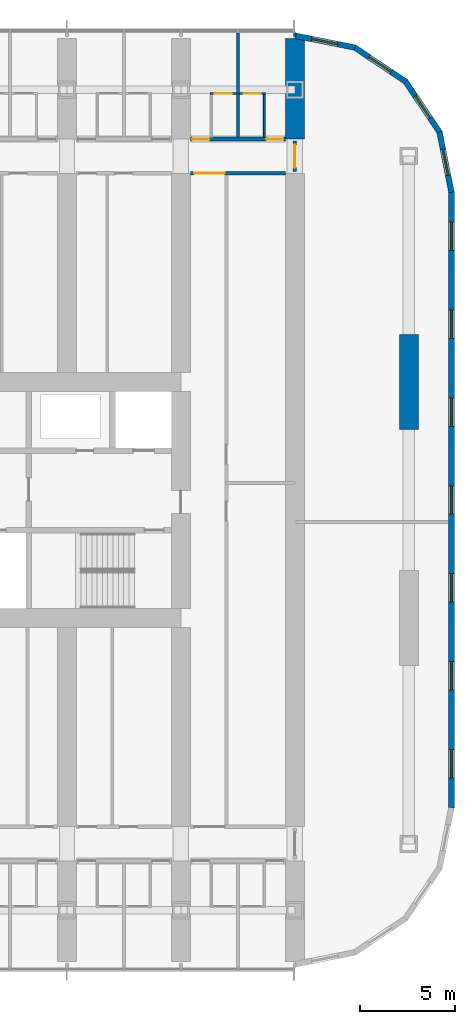
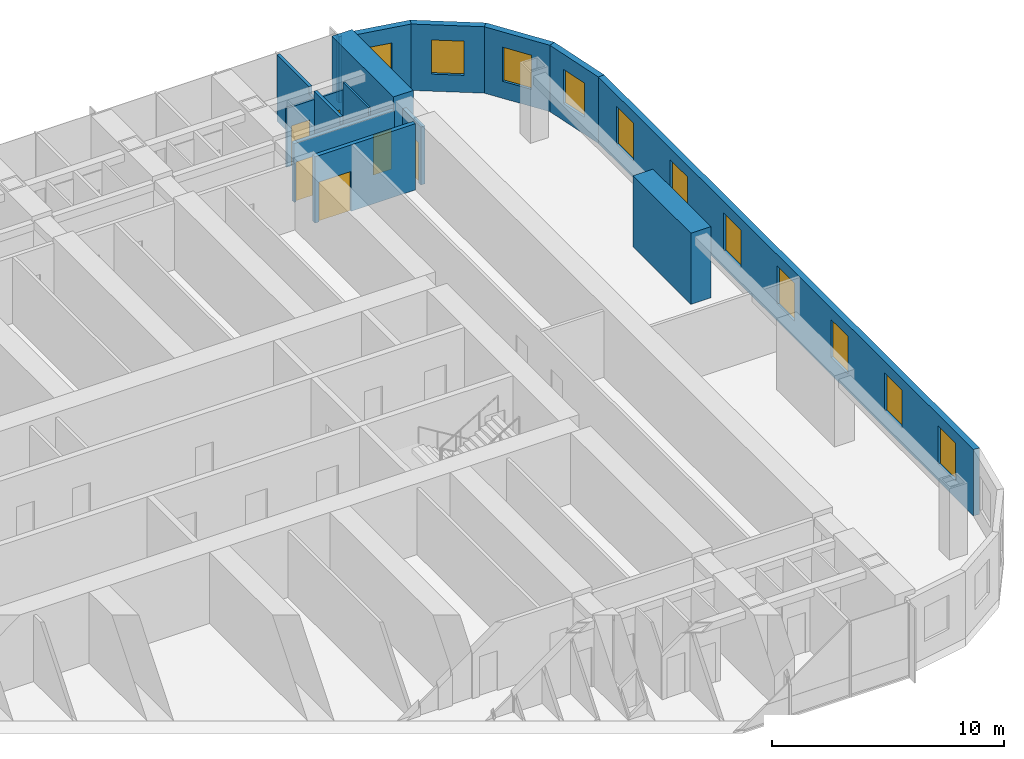
# One storey, part 21 of 28: 15 walls, 11 windows, 6 doors, 17 openings.
"""IFC4 building model written with IfcOpenShell, lengths in metres."""

from ifc_helpers import new_model, si_unit, direction, frame, frame_2d, origin, place, context, subcontext, project, spatial, polyline, rectangle, outline, extrude, material, layer, layer_set, type_object, element, fill, save


model = new_model("IFC4")

# Units and contexts
model_context = context("Model", 3, precision=1e-05, world=origin(), true_north=direction((0.0, 1.0)))
body_context = subcontext(model_context, "Body", "Model", "MODEL_VIEW")
ifc_project = project(units=[si_unit("LENGTHUNIT", "METRE"), si_unit("AREAUNIT", "SQUARE_METRE"), si_unit("VOLUMEUNIT", "CUBIC_METRE"), si_unit("PLANEANGLEUNIT", "RADIAN"), si_unit("MASSUNIT", "GRAM", prefix="KILO")], contexts=[model_context])

# Site, building, storey
site_placement = place(None, origin())
site = spatial("IfcSite", under=ifc_project, at=site_placement, CompositionType="ELEMENT")
building_placement = place(site_placement, origin())
building = spatial("IfcBuilding", under=site, at=building_placement, Name="Orbita Commons", CompositionType="ELEMENT")
storey_placement = place(building_placement, frame((0.0, 0.0, 38.949951171875)))
storey = spatial("IfcBuildingStorey", under=building, at=storey_placement, Name="L09", CompositionType="ELEMENT", Elevation=38.949951171875)

# Wall, openings, doors
ifc_material_1 = material(Name="Concrete blockwork", Category="masonry")
ifc_layer_1 = layer(ifc_material_1, 0.199951171875)
ifc_layer_set_1 = layer_set([ifc_layer_1], Name="Concrete blockwork")
wall_type_1 = type_object("IfcWallType", Name="Corridor wall 200 blockwork", PredefinedType="SOLIDWALL", material=ifc_layer_set_1)
wall_1_placement = place(storey_placement, frame((66.5, 51.0, 0.0), z_axis=(0.0, 0.0, 1.0), x_axis=(1.0, 0.0, 0.0)))
wall_1 = element("IfcWall", 1, at=wall_1_placement, inside=storey, type_object=wall_type_1, Name="Corridor wall 200 blockwork L09", PredefinedType="SOLIDWALL", context=body_context, shape_type="SweptSolid", body=[
    extrude(outline(polyline([(0.0, 0.0), (5.0, 0.0), (5.0, 3.10009765625), (0.0, 3.10009765625), (0.0, 0.0)])), frame((0.0, 0.10009765625, 0.0), z_axis=(0.0, -1.0, 0.0), x_axis=(1.0, 0.0, 0.0)), (0.0, 0.0, 1.0), 0.199951171875),
])
opening_1_placement = place(wall_1_placement, frame((0.10009765625, 0.0, 0.0)))
opening_1 = element("IfcOpeningElement", 2, at=opening_1_placement, cuts=wall_1, Name="Opening D11", PredefinedType="OPENING", context=body_context, shape_type="SweptSolid", body=[
    extrude(rectangle(XDim=0.89990234375, YDim=2.10009765625, at=frame_2d((0.449951171875, 1.050048828125))), frame((0.0, 0.10986328125, 0.0), z_axis=(0.0, -1.0, 0.0), x_axis=(1.0, 0.0, 0.0)), (0.0, 0.0, 1.0), 0.219970703125),
])
opening_2_placement = place(wall_1_placement, frame((4.0, 0.0, 0.0)))
opening_2 = element("IfcOpeningElement", 3, at=opening_2_placement, cuts=wall_1, Name="Opening D11", PredefinedType="OPENING", context=body_context, shape_type="SweptSolid", body=[
    extrude(rectangle(XDim=0.89990234375, YDim=2.10009765625, at=frame_2d((0.449951171875, 1.050048828125))), frame((0.0, 0.10986328125, 0.0), z_axis=(0.0, -1.0, 0.0), x_axis=(1.0, 0.0, 0.0)), (0.0, 0.0, 1.0), 0.219970703125),
])
ifc_material_2 = material(Name="Steel-faced fire door leaf", Category="steel")
door_type_1 = type_object("IfcDoorType", Name="Corridor door 20 min 900x2100", OperationType="SINGLE_SWING_LEFT", PredefinedType="DOOR", material=ifc_material_2)
door_1_placement = place(opening_1_placement, origin())
door_1 = element("IfcDoor", 4, at=door_1_placement, inside=storey, type_object=door_type_1, Name="House bedroom L09-N18 door", OperationType="SINGLE_SWING_LEFT", OverallHeight=2.10009765625, OverallWidth=0.89990234375, PredefinedType="DOOR", context=body_context, shape_type="SweptSolid", body=[
    extrude(rectangle(XDim=0.89990234375, YDim=2.10009765625, at=frame_2d((0.449951171875, 1.050048828125))), frame((0.0, 0.02490234375, 0.0), z_axis=(0.0, -1.0, 0.0), x_axis=(1.0, 0.0, 0.0)), (0.0, 0.0, 1.0), 0.050048828125),
])
fill(opening_1, door_1)
door_2_placement = place(opening_2_placement, origin())
door_2 = element("IfcDoor", 5, at=door_2_placement, inside=storey, type_object=door_type_1, Name="House bedroom L09-N19 door", OperationType="SINGLE_SWING_LEFT", OverallHeight=2.10009765625, OverallWidth=0.89990234375, PredefinedType="DOOR", context=body_context, shape_type="SweptSolid", body=[
    extrude(rectangle(XDim=0.89990234375, YDim=2.10009765625, at=frame_2d((0.449951171875, 1.050048828125))), frame((0.0, 0.02490234375, 0.0), z_axis=(0.0, -1.0, 0.0), x_axis=(1.0, 0.0, 0.0)), (0.0, 0.0, 1.0), 0.050048828125),
])
fill(opening_2, door_2)

# Wall, opening, door
wall_2_placement = place(storey_placement, frame((72.0, 49.300048828125, 0.0), z_axis=(0.0, 0.0, 1.0), x_axis=(0.0, 1.0, 0.0)))
wall_2 = element("IfcWall", 6, at=wall_2_placement, inside=storey, type_object=wall_type_1, Name="Corridor wall 200 blockwork L09", PredefinedType="SOLIDWALL", context=body_context, shape_type="SweptSolid", body=[
    extrude(outline(polyline([(0.0, 0.0), (1.599853515625, 0.0), (1.60009765625, 3.050048828125), (0.0, 3.050048828125), (0.0, 0.0)])), frame((0.0, 0.10009765625, 0.0), z_axis=(0.0, -1.0, 0.0), x_axis=(1.0, 0.0, 0.0)), (0.0, 0.0, 1.0), 0.199951171875),
])
opening_3_placement = place(wall_2_placement, frame((0.199951171875, 0.0, 0.0)))
opening_3 = element("IfcOpeningElement", 7, at=opening_3_placement, cuts=wall_2, Name="Opening D12", PredefinedType="OPENING", context=body_context, shape_type="SweptSolid", body=[
    extrude(rectangle(XDim=1.199951171875, YDim=2.10009765625, at=frame_2d((0.60009765625, 1.050048828125))), frame((0.0, 0.10986328125, 0.0), z_axis=(0.0, -1.0, 0.0), x_axis=(1.0, 0.0, 0.0)), (0.0, 0.0, 1.0), 0.219970703125),
])
ifc_material_3 = material(Name="Steel-faced fire door leaf", Category="steel")
door_type_2 = type_object("IfcDoorType", Name="Double corridor door 20 min 1200x2100", OperationType="DOUBLE_DOOR_SINGLE_SWING", PredefinedType="DOOR", material=ifc_material_3)
door_3_placement = place(opening_3_placement, origin())
door_3 = element("IfcDoor", 8, at=door_3_placement, inside=storey, type_object=door_type_2, Name="Lounge doors", OperationType="DOUBLE_DOOR_SINGLE_SWING", OverallHeight=2.10009765625, OverallWidth=1.199951171875, PredefinedType="DOOR", context=body_context, shape_type="SweptSolid", body=[
    extrude(rectangle(XDim=1.199951171875, YDim=2.10009765625, at=frame_2d((0.60009765625, 1.050048828125))), frame((0.0, 0.02490234375, 0.0), z_axis=(0.0, -1.0, 0.0), x_axis=(1.0, 0.0, 0.0)), (0.0, 0.0, 1.0), 0.050048828125),
])
fill(opening_3, door_3)

ifc_material_4 = material(Name="Hollow concrete block 200", Category="concrete")
ifc_layer_2 = layer(ifc_material_4, 0.199951171875)
ifc_layer_set_2 = layer_set([ifc_layer_2], Name="Hollow concrete block 200")
wall_type_2 = type_object("IfcWallType", Name="Corridor wall 200 hollow concrete block", PredefinedType="SOLIDWALL", material=ifc_layer_set_2)
wall_3_placement = place(storey_placement, frame((66.5, 49.199951171875, 0.0), z_axis=(0.0, 0.0, 1.0), x_axis=(1.0, 0.0, 0.0)))
wall_3 = element("IfcWall", 9, at=wall_3_placement, inside=storey, type_object=wall_type_2, Name="Corridor wall 200 hollow concrete block L09", PredefinedType="SOLIDWALL", context=body_context, shape_type="SweptSolid", body=[
    extrude(rectangle(XDim=5.0, YDim=0.199951171875, at=frame_2d((2.5, 0.0))), origin(), (0.0, 0.0, 1.0), 3.5),
])
opening_4_placement = place(wall_3_placement, frame((0.199951171875, 0.0, 0.0)))
opening_4 = element("IfcOpeningElement", 10, at=opening_4_placement, cuts=wall_3, Name="Opening D10", PredefinedType="OPENING", context=body_context, shape_type="SweptSolid", body=[
    extrude(rectangle(XDim=1.60009765625, YDim=2.10009765625, at=frame_2d((0.800048828125, 1.050048828125))), frame((0.0, 0.10986328125, 0.0), z_axis=(0.0, -1.0, 0.0), x_axis=(1.0, 0.0, 0.0)), (0.0, 0.0, 1.0), 0.219970703125),
])
ifc_material_5 = material(Name="Steel-faced fire door leaf", Category="steel")
door_type_3 = type_object("IfcDoorType", Name="Double corridor door 20 min 1600x2100", OperationType="DOUBLE_DOOR_SINGLE_SWING", PredefinedType="DOOR", material=ifc_material_5)
door_4_placement = place(opening_4_placement, origin())
door_4 = element("IfcDoor", 11, at=door_4_placement, inside=storey, type_object=door_type_3, Name="Cross corridor doors", OperationType="DOUBLE_DOOR_SINGLE_SWING", OverallHeight=2.10009765625, OverallWidth=1.60009765625, PredefinedType="DOOR", context=body_context, shape_type="SweptSolid", body=[
    extrude(rectangle(XDim=1.60009765625, YDim=2.10009765625, at=frame_2d((0.800048828125, 1.050048828125))), frame((0.0, 0.02490234375, 0.0), z_axis=(0.0, -1.0, 0.0), x_axis=(1.0, 0.0, 0.0)), (0.0, 0.0, 1.0), 0.050048828125),
])
fill(opening_4, door_4)

# Wall
ifc_material_6 = material(Name="Concrete C50/60", Category="concrete")
ifc_layer_3 = layer(ifc_material_6, 1.0)
ifc_layer_set_3 = layer_set([ifc_layer_3], Name="Concrete C50/60")
wall_type_3 = type_object("IfcWallType", Name="Cross wall 1000 C50/60", PredefinedType="SHEAR", material=ifc_layer_set_3)
wall_4_placement = place(storey_placement, frame((72.0, 51.0, 0.0), z_axis=(0.0, 0.0, 1.0), x_axis=(0.0, 1.0, 0.0)))
element("IfcWall", 12, at=wall_4_placement, inside=storey, type_object=wall_type_3, Name="Cross wall 13 north outer L09", PredefinedType="SHEAR", context=body_context, shape_type="SweptSolid", body=[
    extrude(rectangle(XDim=5.300048828125, YDim=1.0, at=frame_2d((2.64990234375, 0.0))), origin(), (0.0, 0.0, 1.0), 3.75),
])

# Wall, opening, door
ifc_material_7 = material(Name="Moisture-resistant plasterboard on steel studs", Category="steel")
ifc_layer_4 = layer(ifc_material_7, 0.10009765625)
ifc_layer_set_4 = layer_set([ifc_layer_4], Name="Moisture-resistant plasterboard on steel studs")
wall_type_4 = type_object("IfcWallType", Name="En-suite partition 100", PredefinedType="PARTITIONING", material=ifc_layer_set_4)
wall_5_placement = place(storey_placement, frame((67.550048828125, 53.40185546875, 0.0), z_axis=(0.0, 0.0, 1.0), x_axis=(1.0, 0.0, 0.0)))
wall_5 = element("IfcWall", 13, at=wall_5_placement, inside=storey, type_object=wall_type_4, Name="En-suite partition 100 L09", PredefinedType="PARTITIONING", context=body_context, shape_type="SweptSolid", body=[
    extrude(outline(polyline([(0.0, 0.0), (1.375, 0.0), (1.375, 3.10009765625), (0.0, 3.10009765625), (0.0, 0.0)])), frame((0.0, 0.050048828125, 0.0), z_axis=(0.0, -1.0, 0.0), x_axis=(1.0, 0.0, 0.0)), (0.0, 0.0, 1.0), 0.10009765625),
])
opening_5_placement = place(wall_5_placement, frame((0.237548828125, 0.0, 0.0)))
opening_5 = element("IfcOpeningElement", 14, at=opening_5_placement, cuts=wall_5, Name="Opening D09", PredefinedType="OPENING", context=body_context, shape_type="SweptSolid", body=[
    extrude(rectangle(XDim=0.89990234375, YDim=2.10009765625, at=frame_2d((0.449951171875, 1.050048828125))), frame((0.0, 0.06005859375, 0.0), z_axis=(0.0, -1.0, 0.0), x_axis=(1.0, 0.0, 0.0)), (0.0, 0.0, 1.0), 0.1201171875),
])
ifc_material_8 = material(Name="Laminated timber door leaf", Category="wood")
door_type_4 = type_object("IfcDoorType", Name="En-suite door 900x2100", OperationType="SINGLE_SWING_RIGHT", PredefinedType="DOOR", material=ifc_material_8)
door_5_placement = place(opening_5_placement, origin())
door_5 = element("IfcDoor", 15, at=door_5_placement, inside=storey, type_object=door_type_4, Name="En-suite L09-N18 door", OperationType="SINGLE_SWING_RIGHT", OverallHeight=2.10009765625, OverallWidth=0.89990234375, PredefinedType="DOOR", context=body_context, shape_type="SweptSolid", body=[
    extrude(rectangle(XDim=0.89990234375, YDim=2.10009765625, at=frame_2d((0.449951171875, 1.050048828125))), frame((0.0, 0.02490234375, 0.0), z_axis=(0.0, -1.0, 0.0), x_axis=(1.0, 0.0, 0.0)), (0.0, 0.0, 1.0), 0.050048828125),
])
fill(opening_5, door_5)

wall_6_placement = place(storey_placement, frame((69.074951171875, 53.40185546875, 0.0), z_axis=(0.0, 0.0, 1.0), x_axis=(1.0, 0.0, 0.0)))
wall_6 = element("IfcWall", 16, at=wall_6_placement, inside=storey, type_object=wall_type_4, Name="En-suite partition 100 L09", PredefinedType="PARTITIONING", context=body_context, shape_type="SweptSolid", body=[
    extrude(outline(polyline([(0.0, 0.0), (1.375, 0.0), (1.375, 3.10009765625), (0.0, 3.10009765625), (0.0, 0.0)])), frame((0.0, 0.050048828125, 0.0), z_axis=(0.0, -1.0, 0.0), x_axis=(1.0, 0.0, 0.0)), (0.0, 0.0, 1.0), 0.10009765625),
])
opening_6_placement = place(wall_6_placement, frame((0.237548828125, 0.0, 0.0)))
opening_6 = element("IfcOpeningElement", 17, at=opening_6_placement, cuts=wall_6, Name="Opening D09", PredefinedType="OPENING", context=body_context, shape_type="SweptSolid", body=[
    extrude(rectangle(XDim=0.89990234375, YDim=2.10009765625, at=frame_2d((0.449951171875, 1.050048828125))), frame((0.0, 0.06005859375, 0.0), z_axis=(0.0, -1.0, 0.0), x_axis=(1.0, 0.0, 0.0)), (0.0, 0.0, 1.0), 0.1201171875),
])
door_6_placement = place(opening_6_placement, origin())
door_6 = element("IfcDoor", 18, at=door_6_placement, inside=storey, type_object=door_type_4, Name="En-suite L09-N19 door", OperationType="SINGLE_SWING_RIGHT", OverallHeight=2.10009765625, OverallWidth=0.89990234375, PredefinedType="DOOR", context=body_context, shape_type="SweptSolid", body=[
    extrude(rectangle(XDim=0.89990234375, YDim=2.10009765625, at=frame_2d((0.449951171875, 1.050048828125))), frame((0.0, 0.02490234375, 0.0), z_axis=(0.0, -1.0, 0.0), x_axis=(1.0, 0.0, 0.0)), (0.0, 0.0, 1.0), 0.050048828125),
])
fill(opening_6, door_6)

# Walls
wall_7_placement = place(storey_placement, frame((70.39990234375, 53.351806640625, 0.0), z_axis=(0.0, 0.0, 1.0), x_axis=(0.0, -1.0, 0.0)))
element("IfcWall", 19, at=wall_7_placement, inside=storey, type_object=wall_type_4, Name="En-suite partition 100 L09", PredefinedType="PARTITIONING", context=body_context, shape_type="SweptSolid", body=[
    extrude(outline(polyline([(0.0, 0.0), (2.251708984375, 0.0), (2.251953125, 3.10009765625), (2.203857421875, 3.10009765625), (2.201904296875, 3.5), (0.0, 3.5), (0.0, 0.0)])), frame((0.0, 0.050048828125, 0.0), z_axis=(0.0, -1.0, 0.0), x_axis=(1.0, 0.0, 0.0)), (0.0, 0.0, 1.0), 0.10009765625),
])
ifc_material_9 = material(Name="Concrete C50/60", Category="concrete")
ifc_layer_5 = layer(ifc_material_9, 1.0)
ifc_layer_set_5 = layer_set([ifc_layer_5], Name="Concrete C50/60")
wall_type_5 = type_object("IfcWallType", Name="End pier 1000x5000 C50/60", PredefinedType="SHEAR", material=ifc_layer_set_5)
wall_8_placement = place(storey_placement, frame((78.0, 35.699951171875, 0.0), z_axis=(0.0, 0.0, 1.0), x_axis=(0.0, 1.0, 0.0)))
element("IfcWall", 20, at=wall_8_placement, inside=storey, type_object=wall_type_5, Name="End pier 14/D L09", PredefinedType="SHEAR", context=body_context, shape_type="SweptSolid", body=[
    extrude(rectangle(XDim=5.0, YDim=1.0, at=frame_2d((2.5, 0.0))), origin(), (0.0, 0.0, 1.0), 3.75),
])
ifc_material_10 = material(Name="Gypsum plasterboard on steel studs", Category="steel")
ifc_layer_6 = layer(ifc_material_10, 0.14990234375)
ifc_layer_set_6 = layer_set([ifc_layer_6], Name="Gypsum plasterboard on steel studs")
wall_type_6 = type_object("IfcWallType", Name="Partition 150 plasterboard", PredefinedType="PARTITIONING", material=ifc_layer_set_6)
wall_9_placement = place(storey_placement, frame((72.0, 56.39990234375, 0.0), z_axis=(0.0, 0.0, 1.0), x_axis=(0.0, 1.0, 0.0)))
element("IfcWall", 21, at=wall_9_placement, inside=storey, type_object=wall_type_6, Name="Partition 150 plasterboard L09", PredefinedType="PARTITIONING", context=body_context, shape_type="SweptSolid", body=[
    extrude(rectangle(XDim=0.22021484375, YDim=0.14990234375, at=frame_2d((0.110107421875, 0.0))), origin(), (0.0, 0.0, 1.0), 3.5),
])
ifc_material_11 = material(Name="Gypsum plasterboard on steel studs", Category="steel")
ifc_layer_7 = layer(ifc_material_11, 0.14990234375)
ifc_layer_set_7 = layer_set([ifc_layer_7], Name="Gypsum plasterboard on steel studs")
wall_type_7 = type_object("IfcWallType", Name="Party wall 150 plasterboard", PredefinedType="PARTITIONING", material=ifc_layer_set_7)
wall_10_placement = place(storey_placement, frame((69.0, 56.590087890625, 0.0), z_axis=(0.0, 0.0, 1.0), x_axis=(0.0, -1.0, 0.0)))
element("IfcWall", 22, at=wall_10_placement, inside=storey, type_object=wall_type_7, Name="Party wall 150 plasterboard L09", PredefinedType="PARTITIONING", context=body_context, shape_type="SweptSolid", body=[
    extrude(outline(polyline([(0.0, 0.0), (5.489990234375, 0.0), (5.489990234375, 3.10009765625), (5.44189453125, 3.10009765625), (5.43994140625, 3.5), (3.19189453125, 3.5), (3.18994140625, 3.10009765625), (2.7919921875, 3.10009765625), (2.7900390625, 3.5), (0.0, 3.5), (0.0, 0.0)])), frame((0.0, 0.074951171875, 0.0), z_axis=(0.0, -1.0, 0.0), x_axis=(1.0, 0.0, 0.0)), (0.0, 0.0, 1.0), 0.14990234375),
])

# Wall, openings, windows
ifc_material_12 = material(Name="Precast concrete C40/50, white board-marked finish", Category="concrete")
ifc_layer_8 = layer(ifc_material_12, 0.300048828125)
ifc_layer_set_8 = layer_set([ifc_layer_8], Name="Precast concrete C40/50, white board-marked finish")
wall_type_8 = type_object("IfcWallType", Name="Precast concrete end shield 300", PredefinedType="SOLIDWALL", material=ifc_layer_set_8)
wall_11_placement = place(storey_placement, frame((80.25, 15.800048828125, 0.0), z_axis=(0.0, 0.0, 1.0), x_axis=(0.0, 1.0, 0.0)))
wall_11 = element("IfcWall", 23, at=wall_11_placement, inside=storey, type_object=wall_type_8, Name="End shield E L09", PredefinedType="SOLIDWALL", context=body_context, shape_type="SweptSolid", body=[
    extrude(outline(polyline([(-0.014892578125, -0.14990234375), (32.414794921875, -0.14990234375), (32.385009765625, 0.14990234375), (0.014892578125, 0.14990234375), (-0.014892578125, -0.14990234375)])), origin(), (0.0, 0.0, 1.0), 3.5),
])
opening_7_placement = place(wall_11_placement, frame((1.564208984375, 0.0, 0.89990234375)))
opening_7 = element("IfcOpeningElement", 24, at=opening_7_placement, cuts=wall_11, Name="Opening W01", PredefinedType="OPENING", context=body_context, shape_type="SweptSolid", body=[
    extrude(rectangle(XDim=1.5, YDim=2.0, at=frame_2d((0.75, 1.0))), frame((0.0, 0.159912109375, 0.0), z_axis=(0.0, -1.0, 0.0), x_axis=(1.0, 0.0, 0.0)), (0.0, 0.0, 1.0), 0.320068359375),
])
opening_8_placement = place(wall_11_placement, frame((6.19287109375, 0.0, 0.89990234375)))
opening_8 = element("IfcOpeningElement", 25, at=opening_8_placement, cuts=wall_11, Name="Opening W01", PredefinedType="OPENING", context=body_context, shape_type="SweptSolid", body=[
    extrude(rectangle(XDim=1.5, YDim=2.0, at=frame_2d((0.75, 1.0))), frame((0.0, 0.159912109375, 0.0), z_axis=(0.0, -1.0, 0.0), x_axis=(1.0, 0.0, 0.0)), (0.0, 0.0, 1.0), 0.320068359375),
])
opening_9_placement = place(wall_11_placement, frame((10.821533203125, 0.0, 0.89990234375)))
opening_9 = element("IfcOpeningElement", 26, at=opening_9_placement, cuts=wall_11, Name="Opening W01", PredefinedType="OPENING", context=body_context, shape_type="SweptSolid", body=[
    extrude(rectangle(XDim=1.5, YDim=2.0, at=frame_2d((0.75, 1.0))), frame((0.0, 0.159912109375, 0.0), z_axis=(0.0, -1.0, 0.0), x_axis=(1.0, 0.0, 0.0)), (0.0, 0.0, 1.0), 0.320068359375),
])
opening_10_placement = place(wall_11_placement, frame((15.449951171875, 0.0, 0.89990234375)))
opening_10 = element("IfcOpeningElement", 27, at=opening_10_placement, cuts=wall_11, Name="Opening W01", PredefinedType="OPENING", context=body_context, shape_type="SweptSolid", body=[
    extrude(rectangle(XDim=1.5, YDim=2.0, at=frame_2d((0.75, 1.0))), frame((0.0, 0.159912109375, 0.0), z_axis=(0.0, -1.0, 0.0), x_axis=(1.0, 0.0, 0.0)), (0.0, 0.0, 1.0), 0.320068359375),
])
opening_11_placement = place(wall_11_placement, frame((20.07861328125, 0.0, 0.89990234375)))
opening_11 = element("IfcOpeningElement", 28, at=opening_11_placement, cuts=wall_11, Name="Opening W01", PredefinedType="OPENING", context=body_context, shape_type="SweptSolid", body=[
    extrude(rectangle(XDim=1.5, YDim=2.0, at=frame_2d((0.75, 1.0))), frame((0.0, 0.159912109375, 0.0), z_axis=(0.0, -1.0, 0.0), x_axis=(1.0, 0.0, 0.0)), (0.0, 0.0, 1.0), 0.320068359375),
])
opening_12_placement = place(wall_11_placement, frame((24.70703125, 0.0, 0.89990234375)))
opening_12 = element("IfcOpeningElement", 29, at=opening_12_placement, cuts=wall_11, Name="Opening W01", PredefinedType="OPENING", context=body_context, shape_type="SweptSolid", body=[
    extrude(rectangle(XDim=1.5, YDim=2.0, at=frame_2d((0.75, 1.0))), frame((0.0, 0.159912109375, 0.0), z_axis=(0.0, -1.0, 0.0), x_axis=(1.0, 0.0, 0.0)), (0.0, 0.0, 1.0), 0.320068359375),
])
opening_13_placement = place(wall_11_placement, frame((29.335693359375, 0.0, 0.89990234375)))
opening_13 = element("IfcOpeningElement", 30, at=opening_13_placement, cuts=wall_11, Name="Opening W01", PredefinedType="OPENING", context=body_context, shape_type="SweptSolid", body=[
    extrude(rectangle(XDim=1.5, YDim=2.0, at=frame_2d((0.75, 1.0))), frame((0.0, 0.159912109375, 0.0), z_axis=(0.0, -1.0, 0.0), x_axis=(1.0, 0.0, 0.0)), (0.0, 0.0, 1.0), 0.320068359375),
])
ifc_material_13 = material(Name="Aluminium frame, clear double glazing", Category="aluminium")
window_type_1 = type_object("IfcWindowType", Name="Deep-set window 1500x2000", PartitioningType="SINGLE_PANEL", PredefinedType="WINDOW", material=ifc_material_13)
window_1_placement = place(opening_7_placement, origin())
window_1 = element("IfcWindow", 31, at=window_1_placement, inside=storey, type_object=window_type_1, Name="Window L09-E 1", OverallHeight=2.0, OverallWidth=1.5, PartitioningType="SINGLE_PANEL", PredefinedType="WINDOW", context=body_context, shape_type="SweptSolid", body=[
    extrude(rectangle(XDim=1.5, YDim=2.0, at=frame_2d((0.75, 1.0))), frame((0.0, 0.030029296875, 0.0), z_axis=(0.0, -1.0, 0.0), x_axis=(1.0, 0.0, 0.0)), (0.0, 0.0, 1.0), 0.06005859375),
])
fill(opening_7, window_1)
window_2_placement = place(opening_8_placement, origin())
window_2 = element("IfcWindow", 32, at=window_2_placement, inside=storey, type_object=window_type_1, Name="Window L09-E 2", OverallHeight=2.0, OverallWidth=1.5, PartitioningType="SINGLE_PANEL", PredefinedType="WINDOW", context=body_context, shape_type="SweptSolid", body=[
    extrude(rectangle(XDim=1.5, YDim=2.0, at=frame_2d((0.75, 1.0))), frame((0.0, 0.030029296875, 0.0), z_axis=(0.0, -1.0, 0.0), x_axis=(1.0, 0.0, 0.0)), (0.0, 0.0, 1.0), 0.06005859375),
])
fill(opening_8, window_2)
window_3_placement = place(opening_9_placement, origin())
window_3 = element("IfcWindow", 33, at=window_3_placement, inside=storey, type_object=window_type_1, Name="Window L09-E 3", OverallHeight=2.0, OverallWidth=1.5, PartitioningType="SINGLE_PANEL", PredefinedType="WINDOW", context=body_context, shape_type="SweptSolid", body=[
    extrude(rectangle(XDim=1.5, YDim=2.0, at=frame_2d((0.75, 1.0))), frame((0.0, 0.030029296875, 0.0), z_axis=(0.0, -1.0, 0.0), x_axis=(1.0, 0.0, 0.0)), (0.0, 0.0, 1.0), 0.06005859375),
])
fill(opening_9, window_3)
window_4_placement = place(opening_10_placement, origin())
window_4 = element("IfcWindow", 34, at=window_4_placement, inside=storey, type_object=window_type_1, Name="Window L09-E 4", OverallHeight=2.0, OverallWidth=1.5, PartitioningType="SINGLE_PANEL", PredefinedType="WINDOW", context=body_context, shape_type="SweptSolid", body=[
    extrude(rectangle(XDim=1.5, YDim=2.0, at=frame_2d((0.75, 1.0))), frame((0.0, 0.030029296875, 0.0), z_axis=(0.0, -1.0, 0.0), x_axis=(1.0, 0.0, 0.0)), (0.0, 0.0, 1.0), 0.06005859375),
])
fill(opening_10, window_4)
window_5_placement = place(opening_11_placement, origin())
window_5 = element("IfcWindow", 35, at=window_5_placement, inside=storey, type_object=window_type_1, Name="Window L09-E 5", OverallHeight=2.0, OverallWidth=1.5, PartitioningType="SINGLE_PANEL", PredefinedType="WINDOW", context=body_context, shape_type="SweptSolid", body=[
    extrude(rectangle(XDim=1.5, YDim=2.0, at=frame_2d((0.75, 1.0))), frame((0.0, 0.030029296875, 0.0), z_axis=(0.0, -1.0, 0.0), x_axis=(1.0, 0.0, 0.0)), (0.0, 0.0, 1.0), 0.06005859375),
])
fill(opening_11, window_5)
window_6_placement = place(opening_12_placement, origin())
window_6 = element("IfcWindow", 36, at=window_6_placement, inside=storey, type_object=window_type_1, Name="Window L09-E 6", OverallHeight=2.0, OverallWidth=1.5, PartitioningType="SINGLE_PANEL", PredefinedType="WINDOW", context=body_context, shape_type="SweptSolid", body=[
    extrude(rectangle(XDim=1.5, YDim=2.0, at=frame_2d((0.75, 1.0))), frame((0.0, 0.030029296875, 0.0), z_axis=(0.0, -1.0, 0.0), x_axis=(1.0, 0.0, 0.0)), (0.0, 0.0, 1.0), 0.06005859375),
])
fill(opening_12, window_6)
window_7_placement = place(opening_13_placement, origin())
window_7 = element("IfcWindow", 37, at=window_7_placement, inside=storey, type_object=window_type_1, Name="Window L09-E 7", OverallHeight=2.0, OverallWidth=1.5, PartitioningType="SINGLE_PANEL", PredefinedType="WINDOW", context=body_context, shape_type="SweptSolid", body=[
    extrude(rectangle(XDim=1.5, YDim=2.0, at=frame_2d((0.75, 1.0))), frame((0.0, 0.030029296875, 0.0), z_axis=(0.0, -1.0, 0.0), x_axis=(1.0, 0.0, 0.0)), (0.0, 0.0, 1.0), 0.06005859375),
])
fill(opening_13, window_7)

# Wall, opening, window
wall_12_placement = place(storey_placement, frame((80.25, 48.199951171875, 0.0), z_axis=(0.0, 0.0, 1.0), x_axis=(-0.195065901187, 0.980790137692, 0.0)))
wall_12 = element("IfcWall", 38, at=wall_12_placement, inside=storey, type_object=wall_type_8, Name="End shield NE chord 1 L09", PredefinedType="SOLIDWALL", context=body_context, shape_type="SweptSolid", body=[
    extrude(outline(polyline([(-0.014892578125, -0.14990234375), (3.248779296875, -0.14990234375), (3.189208984375, 0.14990234375), (0.014892578125, 0.14990234375), (-0.014892578125, -0.14990234375)])), origin(), (0.0, 0.0, 1.0), 3.5),
])
opening_14_placement = place(wall_12_placement, frame((0.909423828125, 0.0, 0.89990234375)))
opening_14 = element("IfcOpeningElement", 39, at=opening_14_placement, cuts=wall_12, Name="Opening W02", PredefinedType="OPENING", context=body_context, shape_type="SweptSolid", body=[
    extrude(rectangle(XDim=1.39990234375, YDim=1.800048828125, at=frame_2d((0.699951171875, 0.89990234375))), frame((0.0, 0.159912109375, 0.0), z_axis=(0.0, -1.0, 0.0), x_axis=(1.0, 0.0, 0.0)), (0.0, 0.0, 1.0), 0.320068359375),
])
ifc_material_14 = material(Name="Aluminium frame, clear double glazing", Category="aluminium")
window_type_2 = type_object("IfcWindowType", Name="Deep-set window 1400x1800", PartitioningType="SINGLE_PANEL", PredefinedType="WINDOW", material=ifc_material_14)
window_8_placement = place(opening_14_placement, origin())
window_8 = element("IfcWindow", 40, at=window_8_placement, inside=storey, type_object=window_type_2, Name="Window L09-NE0", OverallHeight=1.800048828125, OverallWidth=1.39990234375, PartitioningType="SINGLE_PANEL", PredefinedType="WINDOW", context=body_context, shape_type="SweptSolid", body=[
    extrude(rectangle(XDim=1.39990234375, YDim=1.800048828125, at=frame_2d((0.699951171875, 0.89990234375))), frame((0.0, 0.030029296875, 0.0), z_axis=(0.0, -1.0, 0.0), x_axis=(1.0, 0.0, 0.0)), (0.0, 0.0, 1.0), 0.06005859375),
])
fill(opening_14, window_8)

wall_13_placement = place(storey_placement, frame((79.6220703125, 51.357177734375, 0.0), z_axis=(0.0, 0.0, 1.0), x_axis=(-0.555609954424, 0.831443069936, 0.0)))
wall_13 = element("IfcWall", 41, at=wall_13_placement, inside=storey, type_object=wall_type_8, Name="End shield NE chord 2 L09", PredefinedType="SOLIDWALL", context=body_context, shape_type="SweptSolid", body=[
    extrude(outline(polyline([(-0.02978515625, -0.14990234375), (3.2490234375, -0.14990234375), (3.189453125, 0.14990234375), (0.02978515625, 0.14990234375), (-0.02978515625, -0.14990234375)])), origin(), (0.0, 0.0, 1.0), 3.5),
])
opening_15_placement = place(wall_13_placement, frame((0.909423828125, 0.0, 0.89990234375)))
opening_15 = element("IfcOpeningElement", 42, at=opening_15_placement, cuts=wall_13, Name="Opening W02", PredefinedType="OPENING", context=body_context, shape_type="SweptSolid", body=[
    extrude(rectangle(XDim=1.39990234375, YDim=1.800048828125, at=frame_2d((0.699951171875, 0.89990234375))), frame((0.0, 0.159912109375, 0.0), z_axis=(0.0, -1.0, 0.0), x_axis=(1.0, 0.0, 0.0)), (0.0, 0.0, 1.0), 0.320068359375),
])
window_9_placement = place(opening_15_placement, origin())
window_9 = element("IfcWindow", 43, at=window_9_placement, inside=storey, type_object=window_type_2, Name="Window L09-NE1", OverallHeight=1.800048828125, OverallWidth=1.39990234375, PartitioningType="SINGLE_PANEL", PredefinedType="WINDOW", context=body_context, shape_type="SweptSolid", body=[
    extrude(rectangle(XDim=1.39990234375, YDim=1.800048828125, at=frame_2d((0.699951171875, 0.89990234375))), frame((0.0, 0.030029296875, 0.0), z_axis=(0.0, -1.0, 0.0), x_axis=(1.0, 0.0, 0.0)), (0.0, 0.0, 1.0), 0.06005859375),
])
fill(opening_15, window_9)

wall_14_placement = place(storey_placement, frame((77.83349609375, 54.03369140625, 0.0), z_axis=(0.0, 0.0, 1.0), x_axis=(-0.831478105043, 0.555557522525, 0.0)))
wall_14 = element("IfcWall", 44, at=wall_14_placement, inside=storey, type_object=wall_type_8, Name="End shield NE chord 3 L09", PredefinedType="SOLIDWALL", context=body_context, shape_type="SweptSolid", body=[
    extrude(outline(polyline([(-0.02978515625, -0.14990234375), (3.248779296875, -0.14990234375), (3.189208984375, 0.14990234375), (0.02978515625, 0.14990234375), (-0.02978515625, -0.14990234375)])), origin(), (0.0, 0.0, 1.0), 3.5),
])
opening_16_placement = place(wall_14_placement, frame((0.909423828125, 0.0, 0.89990234375)))
opening_16 = element("IfcOpeningElement", 45, at=opening_16_placement, cuts=wall_14, Name="Opening W02", PredefinedType="OPENING", context=body_context, shape_type="SweptSolid", body=[
    extrude(rectangle(XDim=1.39990234375, YDim=1.800048828125, at=frame_2d((0.699951171875, 0.89990234375))), frame((0.0, 0.159912109375, 0.0), z_axis=(0.0, -1.0, 0.0), x_axis=(1.0, 0.0, 0.0)), (0.0, 0.0, 1.0), 0.320068359375),
])
window_10_placement = place(opening_16_placement, origin())
window_10 = element("IfcWindow", 46, at=window_10_placement, inside=storey, type_object=window_type_2, Name="Window L09-NE2", OverallHeight=1.800048828125, OverallWidth=1.39990234375, PartitioningType="SINGLE_PANEL", PredefinedType="WINDOW", context=body_context, shape_type="SweptSolid", body=[
    extrude(rectangle(XDim=1.39990234375, YDim=1.800048828125, at=frame_2d((0.699951171875, 0.89990234375))), frame((0.0, 0.030029296875, 0.0), z_axis=(0.0, -1.0, 0.0), x_axis=(1.0, 0.0, 0.0)), (0.0, 0.0, 1.0), 0.06005859375),
])
fill(opening_16, window_10)

wall_15_placement = place(storey_placement, frame((75.156982421875, 55.822021484375, 0.0), z_axis=(0.0, 0.0, 1.0), x_axis=(-0.980787251524, 0.195080412259, 0.0)))
wall_15 = element("IfcWall", 47, at=wall_15_placement, inside=storey, type_object=wall_type_8, Name="End shield NE chord 4 L09", PredefinedType="SOLIDWALL", context=body_context, shape_type="SweptSolid", body=[
    extrude(outline(polyline([(-0.02978515625, -0.14990234375), (3.24853515625, -0.14990234375), (3.18896484375, 0.14990234375), (0.02978515625, 0.14990234375), (-0.02978515625, -0.14990234375)])), origin(), (0.0, 0.0, 1.0), 3.5),
])
opening_17_placement = place(wall_15_placement, frame((0.909423828125, 0.0, 0.89990234375)))
opening_17 = element("IfcOpeningElement", 48, at=opening_17_placement, cuts=wall_15, Name="Opening W02", PredefinedType="OPENING", context=body_context, shape_type="SweptSolid", body=[
    extrude(rectangle(XDim=1.39990234375, YDim=1.800048828125, at=frame_2d((0.699951171875, 0.89990234375))), frame((0.0, 0.159912109375, 0.0), z_axis=(0.0, -1.0, 0.0), x_axis=(1.0, 0.0, 0.0)), (0.0, 0.0, 1.0), 0.320068359375),
])
window_11_placement = place(opening_17_placement, origin())
window_11 = element("IfcWindow", 49, at=window_11_placement, inside=storey, type_object=window_type_2, Name="Window L09-NE3", OverallHeight=1.800048828125, OverallWidth=1.39990234375, PartitioningType="SINGLE_PANEL", PredefinedType="WINDOW", context=body_context, shape_type="SweptSolid", body=[
    extrude(rectangle(XDim=1.39990234375, YDim=1.800048828125, at=frame_2d((0.699951171875, 0.89990234375))), frame((0.0, 0.030029296875, 0.0), z_axis=(0.0, -1.0, 0.0), x_axis=(1.0, 0.0, 0.0)), (0.0, 0.0, 1.0), 0.06005859375),
])
fill(opening_17, window_11)

save(model, "model.ifc")
